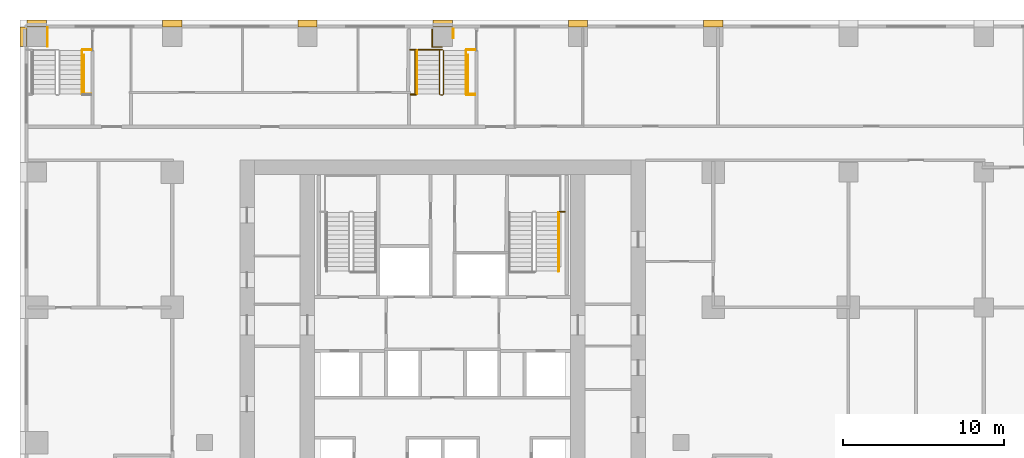
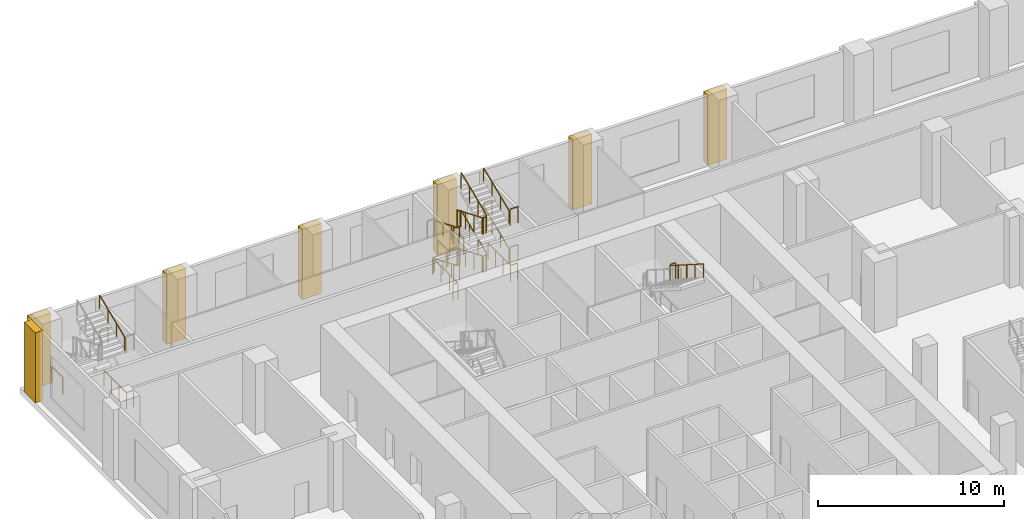
# One storey, part 18 of 21: 21 railings, 7 coverings.
"""IFC4 building model written with IfcOpenShell, lengths in metres."""

from ifc_helpers import new_model, si_unit, direction, frame, origin, origin_2d, place, context, subcontext, project, spatial, polyline, rectangle, outline, extrude, material, type_object, element, save


model = new_model("IFC4")

# Units and contexts
model_context = context("Model", 3, precision=1e-05, world=origin(), true_north=direction((0.0, 1.0)))
body_context = subcontext(model_context, "Body", "Model", "MODEL_VIEW")
ifc_project = project(units=[si_unit("LENGTHUNIT", "METRE"), si_unit("AREAUNIT", "SQUARE_METRE"), si_unit("VOLUMEUNIT", "CUBIC_METRE"), si_unit("PLANEANGLEUNIT", "RADIAN"), si_unit("MASSUNIT", "GRAM", prefix="KILO")], contexts=[model_context])

# Site, building, storey
site_placement = place(None, origin())
site = spatial("IfcSite", under=ifc_project, at=site_placement, CompositionType="ELEMENT")
building_placement = place(site_placement, origin())
building = spatial("IfcBuilding", under=site, at=building_placement, Name="Vermilion Ogive Tower", CompositionType="ELEMENT")
storey_placement = place(building_placement, frame((0.0, 0.0, 25.0)))
storey = spatial("IfcBuildingStorey", under=building, at=storey_placement, Name="L04", CompositionType="ELEMENT", Elevation=25.0)

# Railings
ifc_material_1 = material(Name="Steel S355 painted", Category="steel")
railing_type_1 = type_object("IfcRailingType", Name="Stair guard 1100", PredefinedType="GUARDRAIL", material=ifc_material_1)
railing_1_placement = place(storey_placement, frame((0.0, 28.60009765625, 0.0)))
element("IfcRailing", 1, at=railing_1_placement, inside=storey, type_object=railing_type_1, Name="L04 PS5 stair guard 8", PredefinedType="GUARDRAIL", context=body_context, shape_type="SweptSolid", body=[
    extrude(rectangle(XDim=0.048095703125, YDim=0.048095703125, at=origin_2d()), frame((0.0, 0.0, 1.076171875), z_axis=(-1.0, 0.0, 0.0), x_axis=(0.0, -1.0, 0.0)), (0.0, 0.0, 1.0), 0.14990234375),
    extrude(rectangle(XDim=0.048095703125, YDim=0.048095703125, at=origin_2d()), frame((-0.14990234375, 0.0, 1.076171875), z_axis=(-0.34841279274, -0.34841279274, 0.870182194549), x_axis=(0.707106781187, -0.707106781187, 0.0)), (0.0, 0.0, 1.0), 0.1435546875),
    extrude(rectangle(XDim=0.048095703125, YDim=0.048095703125, at=origin_2d()), frame((-0.199951171875, -0.050048828125, 1.201171875), z_axis=(0.0, -0.923074453586, 0.384621311341), x_axis=(1.0, 0.0, 0.0)), (0.0, 0.0, 1.0), 2.925048828125),
    extrude(rectangle(XDim=0.048095703125, YDim=0.048095703125, at=origin_2d()), frame((-0.199951171875, -2.75, 2.326171875), z_axis=(0.707106781187, -0.707106781187, 0.0), x_axis=(0.707106781187, 0.707106781187, 0.0)), (0.0, 0.0, 1.0), 0.07080078125),
    extrude(rectangle(XDim=0.048095703125, YDim=0.048095703125, at=origin_2d()), frame((-0.14990234375, -2.800048828125, 2.326171875), z_axis=(1.0, 0.0, 0.0), x_axis=(0.0, 1.0, 0.0)), (0.0, 0.0, 1.0), 0.14990234375),
    extrude(rectangle(XDim=0.048095703125, YDim=0.048095703125, at=origin_2d()), frame((0.0, -2.800048828125, 2.326171875), z_axis=(0.34841279274, 0.34841279274, 0.870182194549), x_axis=(-0.707106781187, 0.707106781187, 0.0)), (0.0, 0.0, 1.0), 0.1435546875),
    extrude(rectangle(XDim=0.048095703125, YDim=0.048095703125, at=origin_2d()), frame((0.050048828125, -2.75, 2.451171875), z_axis=(0.0, 0.923074453586, 0.384621311341), x_axis=(-1.0, 0.0, 0.0)), (0.0, 0.0, 1.0), 2.925048828125),
    extrude(rectangle(XDim=0.048095703125, YDim=0.048095703125, at=origin_2d()), frame((0.050048828125, -0.050048828125, 3.576171875), z_axis=(-0.707106781187, 0.707106781187, 0.0), x_axis=(-0.707106781187, -0.707106781187, 0.0)), (0.0, 0.0, 1.0), 0.07080078125),
    extrude(rectangle(XDim=0.048095703125, YDim=0.048095703125, at=origin_2d()), frame((0.0, 0.0, 3.576171875), z_axis=(-1.0, 0.0, 0.0), x_axis=(0.0, -1.0, 0.0)), (0.0, 0.0, 1.0), 0.14990234375),
    extrude(rectangle(XDim=0.048095703125, YDim=0.048095703125, at=origin_2d()), frame((-0.14990234375, 0.0, 3.576171875), z_axis=(-0.34841279274, -0.34841279274, 0.870182194549), x_axis=(0.707106781187, -0.707106781187, 0.0)), (0.0, 0.0, 1.0), 0.1435546875),
    extrude(rectangle(XDim=0.048095703125, YDim=0.048095703125, at=origin_2d()), frame((-0.199951171875, -0.050048828125, 3.701171875), z_axis=(0.0, -0.923074453586, 0.384621311341), x_axis=(1.0, 0.0, 0.0)), (0.0, 0.0, 1.0), 2.925048828125),
    extrude(rectangle(XDim=0.048095703125, YDim=0.048095703125, at=origin_2d()), frame((-0.199951171875, -2.75, 4.826171875), z_axis=(0.707106781187, -0.707106781187, 0.0), x_axis=(0.707106781187, 0.707106781187, 0.0)), (0.0, 0.0, 1.0), 0.07080078125),
    extrude(rectangle(XDim=0.048095703125, YDim=0.048095703125, at=origin_2d()), frame((-0.14990234375, -2.800048828125, 4.826171875), z_axis=(1.0, 0.0, 0.0), x_axis=(0.0, 1.0, 0.0)), (0.0, 0.0, 1.0), 0.14990234375),
    extrude(rectangle(XDim=0.048095703125, YDim=0.048095703125, at=origin_2d()), frame((0.0, -2.800048828125, 4.826171875), z_axis=(0.34841279274, 0.34841279274, 0.870182194549), x_axis=(-0.707106781187, 0.707106781187, 0.0)), (0.0, 0.0, 1.0), 0.1435546875),
    extrude(rectangle(XDim=0.048095703125, YDim=0.048095703125, at=origin_2d()), frame((0.050048828125, -2.75, 4.951171875), z_axis=(0.0, 0.923074453586, 0.384621311341), x_axis=(-1.0, 0.0, 0.0)), (0.0, 0.0, 1.0), 2.925048828125),
    extrude(rectangle(XDim=0.0419921875, YDim=0.0419921875, at=origin_2d()), origin(), (0.0, 0.0, 1.0), 1.052001953125),
    extrude(rectangle(XDim=0.0419921875, YDim=0.0419921875, at=origin_2d()), frame((-0.14990234375, 0.0, 0.0)), (0.0, 0.0, 1.0), 1.052001953125),
    extrude(rectangle(XDim=0.0419921875, YDim=0.0419921875, at=origin_2d()), frame((-0.199951171875, -0.050048828125, 0.125)), (0.0, 0.0, 1.0), 1.052001953125),
    extrude(rectangle(XDim=0.0419921875, YDim=0.0419921875, at=origin_2d()), frame((-0.199951171875, -0.949951171875, 0.5)), (0.0, 0.0, 1.0), 1.052001953125),
    extrude(rectangle(XDim=0.0419921875, YDim=0.0419921875, at=origin_2d()), frame((-0.199951171875, -1.85009765625, 0.875)), (0.0, 0.0, 1.0), 1.052001953125),
    extrude(rectangle(XDim=0.0419921875, YDim=0.0419921875, at=origin_2d()), frame((-0.199951171875, -2.75, 1.25)), (0.0, 0.0, 1.0), 1.052001953125),
    extrude(rectangle(XDim=0.0419921875, YDim=0.0419921875, at=origin_2d()), frame((-0.14990234375, -2.800048828125, 1.25)), (0.0, 0.0, 1.0), 1.052001953125),
    extrude(rectangle(XDim=0.0419921875, YDim=0.0419921875, at=origin_2d()), frame((0.0, -2.800048828125, 1.25)), (0.0, 0.0, 1.0), 1.052001953125),
    extrude(rectangle(XDim=0.0419921875, YDim=0.0419921875, at=origin_2d()), frame((0.050048828125, -2.75, 1.375)), (0.0, 0.0, 1.0), 1.052001953125),
    extrude(rectangle(XDim=0.0419921875, YDim=0.0419921875, at=origin_2d()), frame((0.050048828125, -1.85009765625, 1.75)), (0.0, 0.0, 1.0), 1.052001953125),
    extrude(rectangle(XDim=0.0419921875, YDim=0.0419921875, at=origin_2d()), frame((0.050048828125, -0.949951171875, 2.125)), (0.0, 0.0, 1.0), 1.052001953125),
    extrude(rectangle(XDim=0.0419921875, YDim=0.0419921875, at=origin_2d()), frame((0.050048828125, -0.050048828125, 2.5)), (0.0, 0.0, 1.0), 1.052001953125),
    extrude(rectangle(XDim=0.0419921875, YDim=0.0419921875, at=origin_2d()), frame((0.0, 0.0, 2.5)), (0.0, 0.0, 1.0), 1.052001953125),
    extrude(rectangle(XDim=0.0419921875, YDim=0.0419921875, at=origin_2d()), frame((-0.14990234375, 0.0, 2.5)), (0.0, 0.0, 1.0), 1.052001953125),
    extrude(rectangle(XDim=0.0419921875, YDim=0.0419921875, at=origin_2d()), frame((-0.199951171875, -0.050048828125, 2.625)), (0.0, 0.0, 1.0), 1.052001953125),
    extrude(rectangle(XDim=0.0419921875, YDim=0.0419921875, at=origin_2d()), frame((-0.199951171875, -0.949951171875, 3.0)), (0.0, 0.0, 1.0), 1.052001953125),
    extrude(rectangle(XDim=0.0419921875, YDim=0.0419921875, at=origin_2d()), frame((-0.199951171875, -1.85009765625, 3.375)), (0.0, 0.0, 1.0), 1.052001953125),
    extrude(rectangle(XDim=0.0419921875, YDim=0.0419921875, at=origin_2d()), frame((-0.199951171875, -2.75, 3.75)), (0.0, 0.0, 1.0), 1.052001953125),
    extrude(rectangle(XDim=0.0419921875, YDim=0.0419921875, at=origin_2d()), frame((-0.14990234375, -2.800048828125, 3.75)), (0.0, 0.0, 1.0), 1.052001953125),
    extrude(rectangle(XDim=0.0419921875, YDim=0.0419921875, at=origin_2d()), frame((0.0, -2.800048828125, 3.75)), (0.0, 0.0, 1.0), 1.052001953125),
    extrude(rectangle(XDim=0.0419921875, YDim=0.0419921875, at=origin_2d()), frame((0.050048828125, -2.75, 3.875)), (0.0, 0.0, 1.0), 1.052001953125),
    extrude(rectangle(XDim=0.0419921875, YDim=0.0419921875, at=origin_2d()), frame((0.050048828125, -1.85009765625, 4.25)), (0.0, 0.0, 1.0), 1.052001953125),
    extrude(rectangle(XDim=0.0419921875, YDim=0.0419921875, at=origin_2d()), frame((0.050048828125, -0.949951171875, 4.625)), (0.0, 0.0, 1.0), 1.052001953125),
    extrude(rectangle(XDim=0.0419921875, YDim=0.0419921875, at=origin_2d()), frame((0.050048828125, -0.050048828125, 5.0)), (0.0, 0.0, 1.0), 1.052001953125),
])
railing_2_placement = place(storey_placement, frame((7.25, 18.5400390625, 2.5)))
element("IfcRailing", 2, at=railing_2_placement, inside=storey, type_object=railing_type_1, Name="L04 landing guard", PredefinedType="GUARDRAIL", context=body_context, shape_type="SweptSolid", body=[
    extrude(rectangle(XDim=0.048095703125, YDim=0.048095703125, at=origin_2d()), frame((0.0, 0.0, 1.076171875), z_axis=(1.0, 0.0, 0.0), x_axis=(0.0, 1.0, 0.0)), (0.0, 0.0, 1.0), 0.35009765625),
    extrude(rectangle(XDim=0.0419921875, YDim=0.0419921875, at=origin_2d()), origin(), (0.0, 0.0, 1.0), 1.052001953125),
    extrude(rectangle(XDim=0.0419921875, YDim=0.0419921875, at=origin_2d()), frame((0.35009765625, 0.0, 0.0)), (0.0, 0.0, 1.0), 1.052001953125),
])
railing_3_placement = place(storey_placement, frame((-22.35009765625, 28.60009765625, 2.5)))
element("IfcRailing", 3, at=railing_3_placement, inside=storey, type_object=railing_type_1, Name="L04 landing guard", PredefinedType="GUARDRAIL", context=body_context, shape_type="SweptSolid", body=[
    extrude(rectangle(XDim=0.048095703125, YDim=0.048095703125, at=origin_2d()), frame((0.0, 0.0, 1.076171875), z_axis=(1.0, 0.0, 0.0), x_axis=(0.0, 1.0, 0.0)), (0.0, 0.0, 1.0), 0.5),
    extrude(rectangle(XDim=0.0419921875, YDim=0.0419921875, at=origin_2d()), origin(), (0.0, 0.0, 1.0), 1.052001953125),
    extrude(rectangle(XDim=0.0419921875, YDim=0.0419921875, at=origin_2d()), frame((0.5, 0.0, 0.0)), (0.0, 0.0, 1.0), 1.052001953125),
])
railing_4_placement = place(storey_placement, frame((-2.0, 25.800048828125, 1.25)))
element("IfcRailing", 4, at=railing_4_placement, inside=storey, type_object=railing_type_1, Name="L04 landing guard", PredefinedType="GUARDRAIL", context=body_context, shape_type="SweptSolid", body=[
    extrude(rectangle(XDim=0.048095703125, YDim=0.048095703125, at=origin_2d()), frame((0.0, 0.0, 1.076171875), z_axis=(1.0, 0.0, 0.0), x_axis=(0.0, 1.0, 0.0)), (0.0, 0.0, 1.0), 0.35009765625),
    extrude(rectangle(XDim=0.0419921875, YDim=0.0419921875, at=origin_2d()), origin(), (0.0, 0.0, 1.0), 1.052001953125),
    extrude(rectangle(XDim=0.0419921875, YDim=0.0419921875, at=origin_2d()), frame((0.35009765625, 0.0, 0.0)), (0.0, 0.0, 1.0), 1.052001953125),
])
railing_5_placement = place(storey_placement, frame((1.5, 25.800048828125, 1.25)))
element("IfcRailing", 5, at=railing_5_placement, inside=storey, type_object=railing_type_1, Name="L04 landing guard", PredefinedType="GUARDRAIL", context=body_context, shape_type="SweptSolid", body=[
    extrude(rectangle(XDim=0.048095703125, YDim=0.048095703125, at=origin_2d()), frame((0.0, 0.0, 1.076171875), z_axis=(1.0, 0.0, 0.0), x_axis=(0.0, 1.0, 0.0)), (0.0, 0.0, 1.0), 0.5),
    extrude(rectangle(XDim=0.0419921875, YDim=0.0419921875, at=origin_2d()), origin(), (0.0, 0.0, 1.0), 1.052001953125),
    extrude(rectangle(XDim=0.0419921875, YDim=0.0419921875, at=origin_2d()), frame((0.5, 0.0, 0.0)), (0.0, 0.0, 1.0), 1.052001953125),
])
railing_6_placement = place(storey_placement, frame((-2.025146484375, 28.60009765625, 2.5)))
element("IfcRailing", 6, at=railing_6_placement, inside=storey, type_object=railing_type_1, Name="L04 landing guard", PredefinedType="GUARDRAIL", context=body_context, shape_type="SweptSolid", body=[
    extrude(rectangle(XDim=0.048095703125, YDim=0.048095703125, at=origin_2d()), frame((0.0, 0.0, 1.076171875), z_axis=(1.0, 0.0, 0.0), x_axis=(0.0, 1.0, 0.0)), (0.0, 0.0, 1.0), 0.375244140625),
    extrude(rectangle(XDim=0.0419921875, YDim=0.0419921875, at=origin_2d()), origin(), (0.0, 0.0, 1.0), 1.052001953125),
    extrude(rectangle(XDim=0.0419921875, YDim=0.0419921875, at=origin_2d()), frame((0.375244140625, 0.0, 0.0)), (0.0, 0.0, 1.0), 1.052001953125),
])
railing_7_placement = place(storey_placement, frame((1.5, 28.60009765625, 2.5)))
element("IfcRailing", 7, at=railing_7_placement, inside=storey, type_object=railing_type_1, Name="L04 landing guard", PredefinedType="GUARDRAIL", context=body_context, shape_type="SweptSolid", body=[
    extrude(rectangle(XDim=0.048095703125, YDim=0.048095703125, at=origin_2d()), frame((0.0, 0.0, 1.076171875), z_axis=(1.0, 0.0, 0.0), x_axis=(0.0, 1.0, 0.0)), (0.0, 0.0, 1.0), 0.5),
    extrude(rectangle(XDim=0.0419921875, YDim=0.0419921875, at=origin_2d()), origin(), (0.0, 0.0, 1.0), 1.052001953125),
    extrude(rectangle(XDim=0.0419921875, YDim=0.0419921875, at=origin_2d()), frame((0.5, 0.0, 0.0)), (0.0, 0.0, 1.0), 1.052001953125),
])
railing_8_placement = place(storey_placement, frame((-2.0, 25.800048828125, 3.75)))
element("IfcRailing", 8, at=railing_8_placement, inside=storey, type_object=railing_type_1, Name="L04 landing guard", PredefinedType="GUARDRAIL", context=body_context, shape_type="SweptSolid", body=[
    extrude(rectangle(XDim=0.048095703125, YDim=0.048095703125, at=origin_2d()), frame((0.0, 0.0, 1.076171875), z_axis=(1.0, 0.0, 0.0), x_axis=(0.0, 1.0, 0.0)), (0.0, 0.0, 1.0), 0.35009765625),
    extrude(rectangle(XDim=0.0419921875, YDim=0.0419921875, at=origin_2d()), origin(), (0.0, 0.0, 1.0), 1.052001953125),
    extrude(rectangle(XDim=0.0419921875, YDim=0.0419921875, at=origin_2d()), frame((0.35009765625, 0.0, 0.0)), (0.0, 0.0, 1.0), 1.052001953125),
])
railing_9_placement = place(storey_placement, frame((1.5, 25.800048828125, 3.75)))
element("IfcRailing", 9, at=railing_9_placement, inside=storey, type_object=railing_type_1, Name="L04 landing guard", PredefinedType="GUARDRAIL", context=body_context, shape_type="SweptSolid", body=[
    extrude(rectangle(XDim=0.048095703125, YDim=0.048095703125, at=origin_2d()), frame((0.0, 0.0, 1.076171875), z_axis=(1.0, 0.0, 0.0), x_axis=(0.0, 1.0, 0.0)), (0.0, 0.0, 1.0), 0.5),
    extrude(rectangle(XDim=0.0419921875, YDim=0.0419921875, at=origin_2d()), origin(), (0.0, 0.0, 1.0), 1.052001953125),
    extrude(rectangle(XDim=0.0419921875, YDim=0.0419921875, at=origin_2d()), frame((0.5, 0.0, 0.0)), (0.0, 0.0, 1.0), 1.052001953125),
])
for number, where, name in (
    (10, (-22.291015625, 28.284912109375, 0.0), "L04 stair opening guard"),
    (11, (1.55908203125, 28.284912109375, 0.0), "L04 stair opening guard"),
):
    element("IfcRailing", number, at=place(storey_placement, frame(where)), inside=storey, type_object=railing_type_1, Name=name, PredefinedType="GUARDRAIL", context=body_context, shape_type="SweptSolid", body=[
        extrude(rectangle(XDim=0.048095703125, YDim=0.048095703125, at=origin_2d()), frame((0.0, 0.0, 1.076171875), z_axis=(0.0, -1.0, 0.0), x_axis=(1.0, 0.0, 0.0)), (0.0, 0.0, 1.0), 2.42431640625),
        extrude(rectangle(XDim=0.048095703125, YDim=0.048095703125, at=origin_2d()), frame((0.0, -2.42431640625, 1.076171875), z_axis=(1.0, 0.0, 0.0), x_axis=(0.0, 1.0, 0.0)), (0.0, 0.0, 1.0), 0.43994140625),
        extrude(rectangle(XDim=0.0419921875, YDim=0.0419921875, at=origin_2d()), origin(), (0.0, 0.0, 1.0), 1.052001953125),
        extrude(rectangle(XDim=0.0419921875, YDim=0.0419921875, at=origin_2d()), frame((0.0, -0.80810546875, 0.0)), (0.0, 0.0, 1.0), 1.052001953125),
        extrude(rectangle(XDim=0.0419921875, YDim=0.0419921875, at=origin_2d()), frame((0.0, -1.6162109375, 0.0)), (0.0, 0.0, 1.0), 1.052001953125),
        extrude(rectangle(XDim=0.0419921875, YDim=0.0419921875, at=origin_2d()), frame((0.0, -2.42431640625, 0.0)), (0.0, 0.0, 1.0), 1.052001953125),
        extrude(rectangle(XDim=0.0419921875, YDim=0.0419921875, at=origin_2d()), frame((0.43994140625, -2.42431640625, 0.0)), (0.0, 0.0, 1.0), 1.052001953125),
    ])
railing_10_placement = place(storey_placement, frame((-1.999755859375, 25.8564453125, 0.0)))
element("IfcRailing", 12, at=railing_10_placement, inside=storey, type_object=railing_type_1, Name="L04 stair opening guard", PredefinedType="GUARDRAIL", context=body_context, shape_type="SweptSolid", body=[
    extrude(rectangle(XDim=0.048095703125, YDim=0.048095703125, at=origin_2d()), frame((0.0, 0.0, 1.076171875), z_axis=(1.0, 0.0, 0.0), x_axis=(0.0, 1.0, 0.0)), (0.0, 0.0, 1.0), 0.2900390625),
    extrude(rectangle(XDim=0.048095703125, YDim=0.048095703125, at=origin_2d()), frame((0.2900390625, 0.0, 1.076171875), z_axis=(0.0, 1.0, 0.0), x_axis=(-1.0, 0.0, 0.0)), (0.0, 0.0, 1.0), 2.699951171875),
    extrude(rectangle(XDim=0.048095703125, YDim=0.048095703125, at=origin_2d()), frame((0.2900390625, 2.699951171875, 1.076171875), z_axis=(0.744048711529, 0.668125373618, 0.0), x_axis=(-0.668125373618, 0.744048711529, 0.0)), (0.0, 0.0, 1.0), 0.080322265625),
    extrude(rectangle(XDim=0.048095703125, YDim=0.048095703125, at=origin_2d()), frame((0.349853515625, 2.753662109375, 1.076171875), z_axis=(1.0, 0.0, 0.0), x_axis=(0.0, 1.0, 0.0)), (0.0, 0.0, 1.0), 1.599853515625),
    extrude(rectangle(XDim=0.0419921875, YDim=0.0419921875, at=origin_2d()), origin(), (0.0, 0.0, 1.0), 1.052001953125),
    extrude(rectangle(XDim=0.0419921875, YDim=0.0419921875, at=origin_2d()), frame((0.2900390625, 0.0, 0.0)), (0.0, 0.0, 1.0), 1.052001953125),
    extrude(rectangle(XDim=0.0419921875, YDim=0.0419921875, at=origin_2d()), frame((0.2900390625, 0.89990234375, 0.0)), (0.0, 0.0, 1.0), 1.052001953125),
    extrude(rectangle(XDim=0.0419921875, YDim=0.0419921875, at=origin_2d()), frame((0.2900390625, 1.800048828125, 0.0)), (0.0, 0.0, 1.0), 1.052001953125),
    extrude(rectangle(XDim=0.0419921875, YDim=0.0419921875, at=origin_2d()), frame((0.2900390625, 2.699951171875, 0.0)), (0.0, 0.0, 1.0), 1.052001953125),
    extrude(rectangle(XDim=0.0419921875, YDim=0.0419921875, at=origin_2d()), frame((0.349853515625, 2.753662109375, 0.0)), (0.0, 0.0, 1.0), 1.052001953125),
    extrude(rectangle(XDim=0.0419921875, YDim=0.0419921875, at=origin_2d()), frame((1.14990234375, 2.753662109375, 0.0)), (0.0, 0.0, 1.0), 1.052001953125),
    extrude(rectangle(XDim=0.0419921875, YDim=0.0419921875, at=origin_2d()), frame((1.94970703125, 2.753662109375, 0.0)), (0.0, 0.0, 1.0), 1.052001953125),
])
railing_11_placement = place(storey_placement, frame((-24.5400390625, 28.800048828125, 0.0)))
element("IfcRailing", 13, at=railing_11_placement, inside=storey, type_object=railing_type_1, Name="L04 stair opening guard", PredefinedType="GUARDRAIL", context=body_context, shape_type="SweptSolid", body=[
    extrude(rectangle(XDim=0.048095703125, YDim=0.048095703125, at=origin_2d()), frame((0.0, 0.0, 1.076171875), z_axis=(0.0, 1.0, 0.0), x_axis=(-1.0, 0.0, 0.0)), (0.0, 0.0, 1.0), 1.18994140625),
    extrude(rectangle(XDim=0.0419921875, YDim=0.0419921875, at=origin_2d()), origin(), (0.0, 0.0, 1.0), 1.052001953125),
    extrude(rectangle(XDim=0.0419921875, YDim=0.0419921875, at=origin_2d()), frame((0.0, 1.18994140625, 0.0)), (0.0, 0.0, 1.0), 1.052001953125),
])
railing_12_placement = place(storey_placement, frame((0.66015625, 29.33544921875, 0.0)))
element("IfcRailing", 14, at=railing_12_placement, inside=storey, type_object=railing_type_1, Name="L04 stair opening guard", PredefinedType="GUARDRAIL", context=body_context, shape_type="SweptSolid", body=[
    extrude(rectangle(XDim=0.048095703125, YDim=0.048095703125, at=origin_2d()), frame((0.0, 0.0, 1.076171875), z_axis=(0.0, 1.0, 0.0), x_axis=(-1.0, 0.0, 0.0)), (0.0, 0.0, 1.0), 0.554443359375),
    extrude(rectangle(XDim=0.0419921875, YDim=0.0419921875, at=origin_2d()), origin(), (0.0, 0.0, 1.0), 1.052001953125),
    extrude(rectangle(XDim=0.0419921875, YDim=0.0419921875, at=origin_2d()), frame((0.0, 0.554443359375, 0.0)), (0.0, 0.0, 1.0), 1.052001953125),
])
railing_13_placement = place(storey_placement, frame((-0.65283203125, 29.861328125, 0.0)))
element("IfcRailing", 15, at=railing_13_placement, inside=storey, type_object=railing_type_1, Name="L04 stair opening guard", PredefinedType="GUARDRAIL", context=body_context, shape_type="SweptSolid", body=[
    extrude(rectangle(XDim=0.048095703125, YDim=0.048095703125, at=origin_2d()), frame((0.0, 0.0, 1.076171875), z_axis=(0.0, -1.0, 0.0), x_axis=(1.0, 0.0, 0.0)), (0.0, 0.0, 1.0), 1.08984375),
    extrude(rectangle(XDim=0.048095703125, YDim=0.048095703125, at=origin_2d()), frame((0.0, -1.08984375, 1.076171875), z_axis=(1.0, 0.0, 0.0), x_axis=(0.0, 1.0, 0.0)), (0.0, 0.0, 1.0), 0.5908203125),
    extrude(rectangle(XDim=0.0419921875, YDim=0.0419921875, at=origin_2d()), origin(), (0.0, 0.0, 1.0), 1.052001953125),
    extrude(rectangle(XDim=0.0419921875, YDim=0.0419921875, at=origin_2d()), frame((0.0, -1.08984375, 0.0)), (0.0, 0.0, 1.0), 1.052001953125),
    extrude(rectangle(XDim=0.0419921875, YDim=0.0419921875, at=origin_2d()), frame((0.5908203125, -1.08984375, 0.0)), (0.0, 0.0, 1.0), 1.052001953125),
])
ifc_material_2 = material(Name="Stainless steel", Category="steel")
railing_type_2 = type_object("IfcRailingType", Name="Stair handrail 900", PredefinedType="HANDRAIL", material=ifc_material_2)
railing_14_placement = place(storey_placement, frame((7.199951171875, 18.489990234375, 2.678466796875)))
element("IfcRailing", 16, at=railing_14_placement, inside=storey, type_object=railing_type_2, Name="L04 ST2 stair handrail 2", PredefinedType="HANDRAIL", context=body_context, shape_type="SweptSolid", body=[
    extrude(rectangle(XDim=0.048095703125, YDim=0.048095703125, at=origin_2d()), frame((0.0, 0.0, 0.8759765625), z_axis=(0.0, -0.843111507901, 0.53773877045), x_axis=(1.0, 0.0, 0.0)), (0.0, 0.0, 1.0), 4.317138671875),
    extrude(rectangle(XDim=0.0419921875, YDim=0.0419921875, at=origin_2d()), origin(), (0.0, 0.0, 1.0), 0.851806640625),
    extrude(rectangle(XDim=0.0419921875, YDim=0.0419921875, at=origin_2d()), frame((0.0, -0.909912109375, 0.580322265625)), (0.0, 0.0, 1.0), 0.851806640625),
    extrude(rectangle(XDim=0.0419921875, YDim=0.0419921875, at=origin_2d()), frame((0.0, -1.81982421875, 1.16064453125)), (0.0, 0.0, 1.0), 0.851806640625),
    extrude(rectangle(XDim=0.0419921875, YDim=0.0419921875, at=origin_2d()), frame((0.0, -2.72998046875, 1.7412109375)), (0.0, 0.0, 1.0), 0.851806640625),
    extrude(rectangle(XDim=0.0419921875, YDim=0.0419921875, at=origin_2d()), frame((0.0, -3.639892578125, 2.321533203125)), (0.0, 0.0, 1.0), 0.851806640625),
])
railing_15_placement = place(storey_placement, frame((-22.39990234375, 25.85009765625, 3.875)))
element("IfcRailing", 17, at=railing_15_placement, inside=storey, type_object=railing_type_2, Name="L04 PS1 stair handrail 4", PredefinedType="HANDRAIL", context=body_context, shape_type="SweptSolid", body=[
    extrude(rectangle(XDim=0.048095703125, YDim=0.048095703125, at=origin_2d()), frame((0.0, 0.0, 0.8759765625), z_axis=(0.0, 0.923074453586, 0.384621311341), x_axis=(-1.0, 0.0, 0.0)), (0.0, 0.0, 1.0), 2.925048828125),
    extrude(rectangle(XDim=0.0419921875, YDim=0.0419921875, at=origin_2d()), origin(), (0.0, 0.0, 1.0), 0.851806640625),
    extrude(rectangle(XDim=0.0419921875, YDim=0.0419921875, at=origin_2d()), frame((0.0, 0.89990234375, 0.375)), (0.0, 0.0, 1.0), 0.851806640625),
    extrude(rectangle(XDim=0.0419921875, YDim=0.0419921875, at=origin_2d()), frame((0.0, 1.800048828125, 0.75)), (0.0, 0.0, 1.0), 0.851806640625),
    extrude(rectangle(XDim=0.0419921875, YDim=0.0419921875, at=origin_2d()), frame((0.0, 2.699951171875, 1.125)), (0.0, 0.0, 1.0), 0.851806640625),
])
railing_16_placement = place(storey_placement, frame((-1.60009765625, 28.550048828125, 0.125)))
element("IfcRailing", 18, at=railing_16_placement, inside=storey, type_object=railing_type_2, Name="L04 PS5 stair handrail 1", PredefinedType="HANDRAIL", context=body_context, shape_type="SweptSolid", body=[
    extrude(rectangle(XDim=0.048095703125, YDim=0.048095703125, at=origin_2d()), frame((0.0, 0.0, 0.8759765625), z_axis=(0.0, -0.923074453586, 0.384621311341), x_axis=(1.0, 0.0, 0.0)), (0.0, 0.0, 1.0), 2.925048828125),
    extrude(rectangle(XDim=0.0419921875, YDim=0.0419921875, at=origin_2d()), origin(), (0.0, 0.0, 1.0), 0.851806640625),
    extrude(rectangle(XDim=0.0419921875, YDim=0.0419921875, at=origin_2d()), frame((0.0, -0.89990234375, 0.375)), (0.0, 0.0, 1.0), 0.851806640625),
    extrude(rectangle(XDim=0.0419921875, YDim=0.0419921875, at=origin_2d()), frame((0.0, -1.800048828125, 0.75)), (0.0, 0.0, 1.0), 0.851806640625),
    extrude(rectangle(XDim=0.0419921875, YDim=0.0419921875, at=origin_2d()), frame((0.0, -2.699951171875, 1.125)), (0.0, 0.0, 1.0), 0.851806640625),
])
railing_17_placement = place(storey_placement, frame((1.449951171875, 25.85009765625, 1.375)))
element("IfcRailing", 19, at=railing_17_placement, inside=storey, type_object=railing_type_2, Name="L04 PS5 stair handrail 2", PredefinedType="HANDRAIL", context=body_context, shape_type="SweptSolid", body=[
    extrude(rectangle(XDim=0.048095703125, YDim=0.048095703125, at=origin_2d()), frame((0.0, 0.0, 0.8759765625), z_axis=(0.0, 0.923074453586, 0.384621311341), x_axis=(-1.0, 0.0, 0.0)), (0.0, 0.0, 1.0), 2.925048828125),
    extrude(rectangle(XDim=0.0419921875, YDim=0.0419921875, at=origin_2d()), origin(), (0.0, 0.0, 1.0), 0.851806640625),
    extrude(rectangle(XDim=0.0419921875, YDim=0.0419921875, at=origin_2d()), frame((0.0, 0.89990234375, 0.375)), (0.0, 0.0, 1.0), 0.851806640625),
    extrude(rectangle(XDim=0.0419921875, YDim=0.0419921875, at=origin_2d()), frame((0.0, 1.800048828125, 0.75)), (0.0, 0.0, 1.0), 0.851806640625),
    extrude(rectangle(XDim=0.0419921875, YDim=0.0419921875, at=origin_2d()), frame((0.0, 2.699951171875, 1.125)), (0.0, 0.0, 1.0), 0.851806640625),
])
railing_18_placement = place(storey_placement, frame((-1.60009765625, 28.550048828125, 2.625)))
element("IfcRailing", 20, at=railing_18_placement, inside=storey, type_object=railing_type_2, Name="L04 PS5 stair handrail 3", PredefinedType="HANDRAIL", context=body_context, shape_type="SweptSolid", body=[
    extrude(rectangle(XDim=0.048095703125, YDim=0.048095703125, at=origin_2d()), frame((0.0, 0.0, 0.8759765625), z_axis=(0.0, -0.923074453586, 0.384621311341), x_axis=(1.0, 0.0, 0.0)), (0.0, 0.0, 1.0), 2.925048828125),
    extrude(rectangle(XDim=0.0419921875, YDim=0.0419921875, at=origin_2d()), origin(), (0.0, 0.0, 1.0), 0.851806640625),
    extrude(rectangle(XDim=0.0419921875, YDim=0.0419921875, at=origin_2d()), frame((0.0, -0.89990234375, 0.375)), (0.0, 0.0, 1.0), 0.851806640625),
    extrude(rectangle(XDim=0.0419921875, YDim=0.0419921875, at=origin_2d()), frame((0.0, -1.800048828125, 0.75)), (0.0, 0.0, 1.0), 0.851806640625),
    extrude(rectangle(XDim=0.0419921875, YDim=0.0419921875, at=origin_2d()), frame((0.0, -2.699951171875, 1.125)), (0.0, 0.0, 1.0), 0.851806640625),
])
railing_19_placement = place(storey_placement, frame((1.449951171875, 25.85009765625, 3.875)))
element("IfcRailing", 21, at=railing_19_placement, inside=storey, type_object=railing_type_2, Name="L04 PS5 stair handrail 4", PredefinedType="HANDRAIL", context=body_context, shape_type="SweptSolid", body=[
    extrude(rectangle(XDim=0.048095703125, YDim=0.048095703125, at=origin_2d()), frame((0.0, 0.0, 0.8759765625), z_axis=(0.0, 0.923074453586, 0.384621311341), x_axis=(-1.0, 0.0, 0.0)), (0.0, 0.0, 1.0), 2.925048828125),
    extrude(rectangle(XDim=0.0419921875, YDim=0.0419921875, at=origin_2d()), origin(), (0.0, 0.0, 1.0), 0.851806640625),
    extrude(rectangle(XDim=0.0419921875, YDim=0.0419921875, at=origin_2d()), frame((0.0, 0.89990234375, 0.375)), (0.0, 0.0, 1.0), 0.851806640625),
    extrude(rectangle(XDim=0.0419921875, YDim=0.0419921875, at=origin_2d()), frame((0.0, 1.800048828125, 0.75)), (0.0, 0.0, 1.0), 0.851806640625),
    extrude(rectangle(XDim=0.0419921875, YDim=0.0419921875, at=origin_2d()), frame((0.0, 2.699951171875, 1.125)), (0.0, 0.0, 1.0), 0.851806640625),
])

# Coverings
ifc_material_3 = material(Name="Stone cladding", Category="masonry")
covering_type = type_object("IfcCoveringType", Name="Stone pier", PredefinedType="CLADDING", material=ifc_material_3)
covering_1_placement = place(storey_placement, origin())
element("IfcCovering", 22, at=covering_1_placement, inside=storey, type_object=covering_type, Name="Stone pier P+000+294", PredefinedType="CLADDING", context=body_context, shape_type="SweptSolid", body=[
    extrude(outline(polyline([(-0.60009765625, 30.0), (-0.60009765625, 30.0), (-0.60009765625, 30.449951171875), (0.60009765625, 30.449951171875), (0.60009765625, 30.0), (0.60009765625, 30.0), (-0.60009765625, 30.0)])), origin(), (0.0, 0.0, 1.0), 4.60009765625),
])
covering_2_placement = place(storey_placement, origin())
element("IfcCovering", 23, at=covering_2_placement, inside=storey, type_object=covering_type, Name="Stone pier P+084+294", PredefinedType="CLADDING", context=body_context, shape_type="SweptSolid", body=[
    extrude(outline(polyline([(7.800048828125, 30.0), (7.800048828125, 30.449951171875), (9.0, 30.449951171875), (9.0, 30.0), (7.800048828125, 30.0), (7.800048828125, 30.0)])), origin(), (0.0, 0.0, 1.0), 4.60009765625),
])
covering_3_placement = place(storey_placement, origin())
element("IfcCovering", 24, at=covering_3_placement, inside=storey, type_object=covering_type, Name="Stone pier P+168+294", PredefinedType="CLADDING", context=body_context, shape_type="SweptSolid", body=[
    extrude(outline(polyline([(16.199951171875, 30.449951171875), (17.39990234375, 30.449951171875), (17.39990234375, 30.0), (16.199951171875, 30.0), (16.199951171875, 30.449951171875)])), origin(), (0.0, 0.0, 1.0), 4.60009765625),
])
covering_4_placement = place(storey_placement, origin())
element("IfcCovering", 25, at=covering_4_placement, inside=storey, type_object=covering_type, Name="Stone pier P-084+294", PredefinedType="CLADDING", context=body_context, shape_type="SweptSolid", body=[
    extrude(outline(polyline([(-9.0, 30.0), (-9.0, 30.449951171875), (-7.800048828125, 30.449951171875), (-7.800048828125, 30.0), (-7.800048828125, 30.0), (-9.0, 30.0)])), origin(), (0.0, 0.0, 1.0), 4.60009765625),
])
covering_5_placement = place(storey_placement, origin())
element("IfcCovering", 26, at=covering_5_placement, inside=storey, type_object=covering_type, Name="Stone pier P-168+294", PredefinedType="CLADDING", context=body_context, shape_type="SweptSolid", body=[
    extrude(outline(polyline([(-17.39990234375, 30.0), (-17.39990234375, 30.449951171875), (-16.199951171875, 30.449951171875), (-16.199951171875, 30.0), (-16.199951171875, 30.0), (-17.39990234375, 30.0)])), origin(), (0.0, 0.0, 1.0), 4.60009765625),
])
covering_6_placement = place(storey_placement, origin())
element("IfcCovering", 27, at=covering_6_placement, inside=storey, type_object=covering_type, Name="Stone pier P-252+294N", PredefinedType="CLADDING", context=body_context, shape_type="SweptSolid", body=[
    extrude(outline(polyline([(-25.800048828125, 30.449951171875), (-24.60009765625, 30.449951171875), (-24.60009765625, 30.0), (-25.800048828125, 30.0), (-25.800048828125, 30.449951171875)])), origin(), (0.0, 0.0, 1.0), 4.60009765625),
])
covering_7_placement = place(storey_placement, origin())
element("IfcCovering", 28, at=covering_7_placement, inside=storey, type_object=covering_type, Name="Stone pier P-252+294W", PredefinedType="CLADDING", context=body_context, shape_type="SweptSolid", body=[
    extrude(outline(polyline([(-26.25, 30.0), (-25.800048828125, 30.0), (-25.800048828125, 28.800048828125), (-26.25, 28.800048828125), (-26.25, 30.0)])), origin(), (0.0, 0.0, 1.0), 4.60009765625),
])

save(model, "model.ifc")
